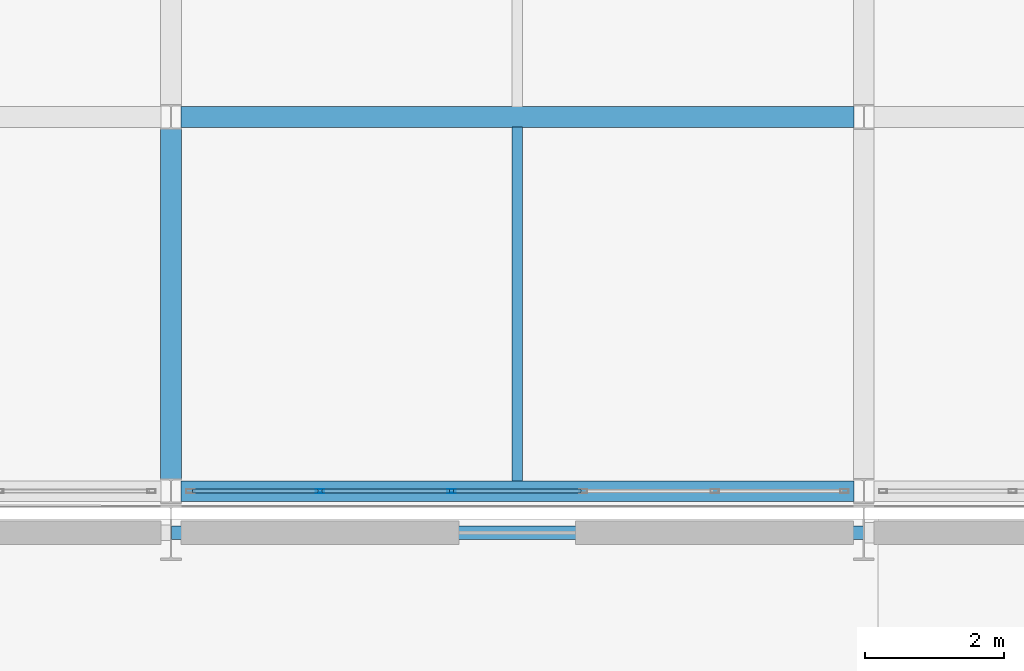
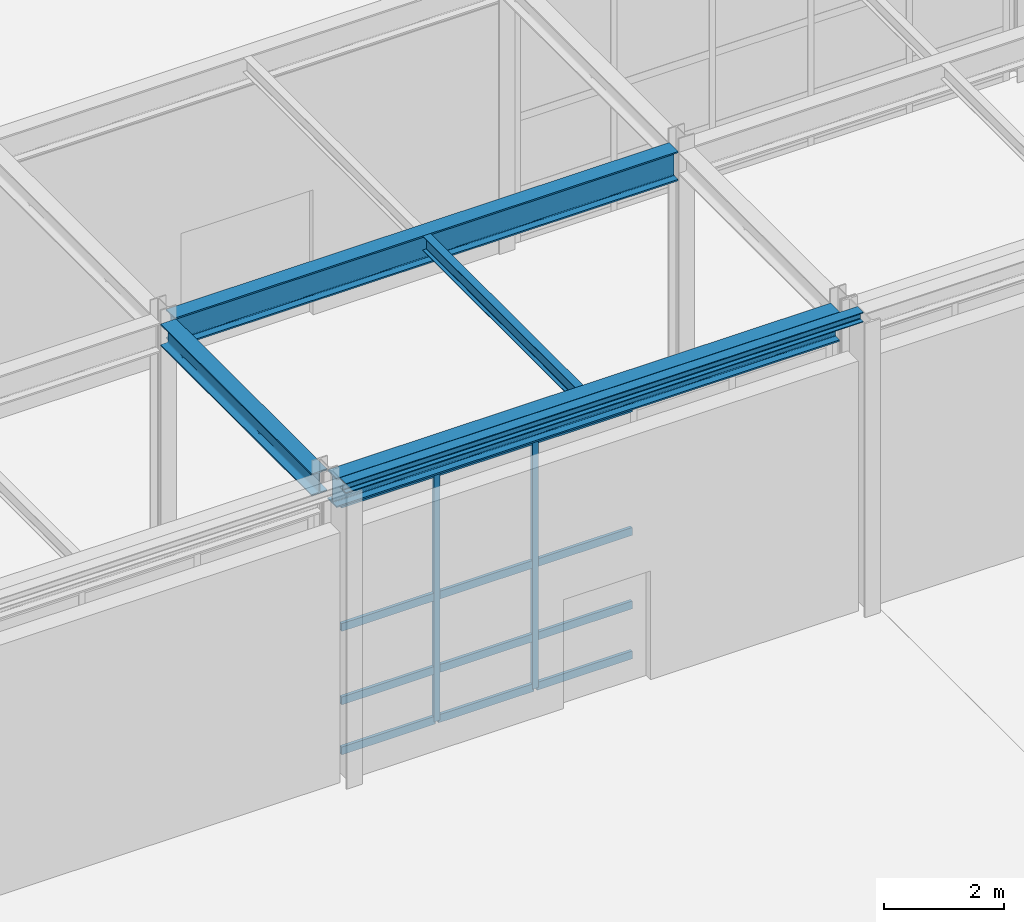
# One storey, part 92 of 146: 14 members, 5 beams, 1 element without a shape of its own.
"""IFC4 building model written with IfcOpenShell, lengths in metres."""

from ifc_helpers import new_model, si_unit, direction, frame, origin, origin_2d, place, context, subcontext, project, spatial, hollow_rectangle, i_section, extrude, material, material_profile, profile_set, type_object, element, aggregate, save


model = new_model("IFC4")

# Units and contexts
model_context = context("Model", 3, precision=1e-05, world=origin(), true_north=direction((0.0, 1.0)))
body_context = subcontext(model_context, "Body", "Model", "MODEL_VIEW")
ifc_project = project(units=[si_unit("LENGTHUNIT", "METRE"), si_unit("AREAUNIT", "SQUARE_METRE"), si_unit("VOLUMEUNIT", "CUBIC_METRE"), si_unit("PLANEANGLEUNIT", "RADIAN"), si_unit("MASSUNIT", "GRAM", prefix="KILO")], contexts=[model_context])

# Site, building, storey
site_placement = place(None, origin())
site = spatial("IfcSite", under=ifc_project, at=site_placement, CompositionType="ELEMENT")
building_placement = place(site_placement, origin())
building = spatial("IfcBuilding", under=site, at=building_placement, Name="Kaldris Quays Convention Centre", CompositionType="ELEMENT")
storey_placement = place(building_placement, origin())
storey = spatial("IfcBuildingStorey", under=building, at=storey_placement, Name="L00", CompositionType="ELEMENT", Elevation=0.0)

# Curtain wall, members
ifc_material_1 = material(Name="Anodized aluminium AW-6060 and triple glazing", Category="aluminium")
curtain_wall_type = type_object("IfcCurtainWallType", Name="UNITISED CURTAIN WALL CW06", PredefinedType="NOTDEFINED", material=ifc_material_1)
curtain_wall_placement = place(storey_placement, origin())
curtain_wall = element("IfcCurtainWall", 1, at=curtain_wall_placement, inside=storey, type_object=curtain_wall_type, Name="L00 Unitised Curtain Wall CW06 155", PredefinedType="NOTDEFINED")
ifc_material_2 = material(Name="Anodized aluminium AW-6060", Category="aluminium")
ifc_material_profile_1 = material_profile(ifc_material_2, hollow_rectangle(XDim=0.06005859375, YDim=0.1201171875, WallThickness=0.00390625, at=origin_2d()), Name="RHS 120x60x4")
ifc_profile_set_1 = profile_set([ifc_material_profile_1], Name="Anodized aluminium AW-6060")
member_type_1 = type_object("IfcMemberType", Name="CURTAIN MULLION CWM3", PredefinedType="MULLION", material=ifc_profile_set_1)
member_1_placement = place(storey_placement, frame((176.14990234375, 104.60009765625, 0.0), z_axis=(0.0, 0.0, 1.0), x_axis=(0.0, 1.0, 0.0)))
member_1 = element("IfcMember", 2, at=member_1_placement, type_object=member_type_1, Name="CW06 mullion 2", PredefinedType="MULLION", context=body_context, shape_type="SweptSolid", body=[
    extrude(hollow_rectangle(XDim=0.06005859375, YDim=0.1201171875, WallThickness=0.00390625, at=origin_2d()), origin(), (0.0, 0.0, 1.0), 5.097900390625),
])
member_2_placement = place(storey_placement, frame((178.050048828125, 104.60009765625, 0.0), z_axis=(0.0, 0.0, 1.0), x_axis=(0.0, 1.0, 0.0)))
member_2 = element("IfcMember", 3, at=member_2_placement, type_object=member_type_1, Name="CW06 mullion 3", PredefinedType="MULLION", context=body_context, shape_type="SweptSolid", body=[
    extrude(hollow_rectangle(XDim=0.06005859375, YDim=0.1201171875, WallThickness=0.00390625, at=origin_2d()), origin(), (0.0, 0.0, 1.0), 5.097900390625),
])
ifc_material_profile_2 = material_profile(ifc_material_2, hollow_rectangle(XDim=0.06005859375, YDim=0.159912109375, WallThickness=0.00390625, at=origin_2d()), Name="RHS 160x60x4")
ifc_profile_set_2 = profile_set([ifc_material_profile_2], Name="Anodized aluminium AW-6060")
member_type_2 = type_object("IfcMemberType", Name="CURTAIN TRANSOM CWT2", PredefinedType="USERDEFINED", material=ifc_profile_set_2)
member_3_placement = place(storey_placement, frame((174.31005859375, 104.60009765625, 0.030029296875), z_axis=(1.0, 0.0, 0.0), x_axis=(0.0, 1.0, 0.0)))
member_3 = element("IfcMember", 4, at=member_3_placement, type_object=member_type_2, Name="CW06 transom 1.1", ObjectType="TRANSOM", PredefinedType="USERDEFINED", context=body_context, shape_type="SweptSolid", body=[
    extrude(hollow_rectangle(XDim=0.06005859375, YDim=0.159912109375, WallThickness=0.00390625, at=origin_2d()), origin(), (0.0, 0.0, 1.0), 1.81005859375),
])
member_4_placement = place(storey_placement, frame((174.31005859375, 104.60009765625, 1.050048828125), z_axis=(1.0, 0.0, 0.0), x_axis=(0.0, 1.0, 0.0)))
member_4 = element("IfcMember", 5, at=member_4_placement, type_object=member_type_2, Name="CW06 transom 1.2", ObjectType="TRANSOM", PredefinedType="USERDEFINED", context=body_context, shape_type="SweptSolid", body=[
    extrude(hollow_rectangle(XDim=0.06005859375, YDim=0.159912109375, WallThickness=0.00390625, at=origin_2d()), origin(), (0.0, 0.0, 1.0), 1.81005859375),
])
member_5_placement = place(storey_placement, frame((174.31005859375, 104.60009765625, 2.549072265625), z_axis=(1.0, 0.0, 0.0), x_axis=(0.0, 1.0, 0.0)))
member_5 = element("IfcMember", 6, at=member_5_placement, type_object=member_type_2, Name="CW06 transom 1.3", ObjectType="TRANSOM", PredefinedType="USERDEFINED", context=body_context, shape_type="SweptSolid", body=[
    extrude(hollow_rectangle(XDim=0.06005859375, YDim=0.159912109375, WallThickness=0.00390625, at=origin_2d()), origin(), (0.0, 0.0, 1.0), 1.81005859375),
])
member_6_placement = place(storey_placement, frame((174.31005859375, 104.60009765625, 5.068115234375), z_axis=(1.0, 0.0, 0.0), x_axis=(0.0, 1.0, 0.0)))
member_6 = element("IfcMember", 7, at=member_6_placement, type_object=member_type_2, Name="CW06 transom 1.4", ObjectType="TRANSOM", PredefinedType="USERDEFINED", context=body_context, shape_type="SweptSolid", body=[
    extrude(hollow_rectangle(XDim=0.06005859375, YDim=0.159912109375, WallThickness=0.00390625, at=origin_2d()), origin(), (0.0, 0.0, 1.0), 1.81005859375),
])
member_7_placement = place(storey_placement, frame((176.179931640625, 104.60009765625, 0.030029296875), z_axis=(1.0, 0.0, 0.0), x_axis=(0.0, 1.0, 0.0)))
member_7 = element("IfcMember", 8, at=member_7_placement, type_object=member_type_2, Name="CW06 transom 2.1", ObjectType="TRANSOM", PredefinedType="USERDEFINED", context=body_context, shape_type="SweptSolid", body=[
    extrude(hollow_rectangle(XDim=0.06005859375, YDim=0.159912109375, WallThickness=0.00390625, at=origin_2d()), origin(), (0.0, 0.0, 1.0), 1.840087890625),
])
member_8_placement = place(storey_placement, frame((176.179931640625, 104.60009765625, 1.050048828125), z_axis=(1.0, 0.0, 0.0), x_axis=(0.0, 1.0, 0.0)))
member_8 = element("IfcMember", 9, at=member_8_placement, type_object=member_type_2, Name="CW06 transom 2.2", ObjectType="TRANSOM", PredefinedType="USERDEFINED", context=body_context, shape_type="SweptSolid", body=[
    extrude(hollow_rectangle(XDim=0.06005859375, YDim=0.159912109375, WallThickness=0.00390625, at=origin_2d()), origin(), (0.0, 0.0, 1.0), 1.840087890625),
])
member_9_placement = place(storey_placement, frame((176.179931640625, 104.60009765625, 2.549072265625), z_axis=(1.0, 0.0, 0.0), x_axis=(0.0, 1.0, 0.0)))
member_9 = element("IfcMember", 10, at=member_9_placement, type_object=member_type_2, Name="CW06 transom 2.3", ObjectType="TRANSOM", PredefinedType="USERDEFINED", context=body_context, shape_type="SweptSolid", body=[
    extrude(hollow_rectangle(XDim=0.06005859375, YDim=0.159912109375, WallThickness=0.00390625, at=origin_2d()), origin(), (0.0, 0.0, 1.0), 1.840087890625),
])
member_10_placement = place(storey_placement, frame((176.179931640625, 104.60009765625, 5.068115234375), z_axis=(1.0, 0.0, 0.0), x_axis=(0.0, 1.0, 0.0)))
member_10 = element("IfcMember", 11, at=member_10_placement, type_object=member_type_2, Name="CW06 transom 2.4", ObjectType="TRANSOM", PredefinedType="USERDEFINED", context=body_context, shape_type="SweptSolid", body=[
    extrude(hollow_rectangle(XDim=0.06005859375, YDim=0.159912109375, WallThickness=0.00390625, at=origin_2d()), origin(), (0.0, 0.0, 1.0), 1.840087890625),
])
member_11_placement = place(storey_placement, frame((178.080078125, 104.60009765625, 0.030029296875), z_axis=(1.0, 0.0, 0.0), x_axis=(0.0, 1.0, 0.0)))
member_11 = element("IfcMember", 12, at=member_11_placement, type_object=member_type_2, Name="CW06 transom 3.1", ObjectType="TRANSOM", PredefinedType="USERDEFINED", context=body_context, shape_type="SweptSolid", body=[
    extrude(hollow_rectangle(XDim=0.06005859375, YDim=0.159912109375, WallThickness=0.00390625, at=origin_2d()), origin(), (0.0, 0.0, 1.0), 1.83984375),
])
member_12_placement = place(storey_placement, frame((178.080078125, 104.60009765625, 1.050048828125), z_axis=(1.0, 0.0, 0.0), x_axis=(0.0, 1.0, 0.0)))
member_12 = element("IfcMember", 13, at=member_12_placement, type_object=member_type_2, Name="CW06 transom 3.2", ObjectType="TRANSOM", PredefinedType="USERDEFINED", context=body_context, shape_type="SweptSolid", body=[
    extrude(hollow_rectangle(XDim=0.06005859375, YDim=0.159912109375, WallThickness=0.00390625, at=origin_2d()), origin(), (0.0, 0.0, 1.0), 1.83984375),
])
member_13_placement = place(storey_placement, frame((178.080078125, 104.60009765625, 2.549072265625), z_axis=(1.0, 0.0, 0.0), x_axis=(0.0, 1.0, 0.0)))
member_13 = element("IfcMember", 14, at=member_13_placement, type_object=member_type_2, Name="CW06 transom 3.3", ObjectType="TRANSOM", PredefinedType="USERDEFINED", context=body_context, shape_type="SweptSolid", body=[
    extrude(hollow_rectangle(XDim=0.06005859375, YDim=0.159912109375, WallThickness=0.00390625, at=origin_2d()), origin(), (0.0, 0.0, 1.0), 1.83984375),
])
member_14_placement = place(storey_placement, frame((178.080078125, 104.60009765625, 5.068115234375), z_axis=(1.0, 0.0, 0.0), x_axis=(0.0, 1.0, 0.0)))
member_14 = element("IfcMember", 15, at=member_14_placement, type_object=member_type_2, Name="CW06 transom 3.4", ObjectType="TRANSOM", PredefinedType="USERDEFINED", context=body_context, shape_type="SweptSolid", body=[
    extrude(hollow_rectangle(XDim=0.06005859375, YDim=0.159912109375, WallThickness=0.00390625, at=origin_2d()), origin(), (0.0, 0.0, 1.0), 1.83984375),
])
aggregate(curtain_wall, [member_1, member_2, member_3, member_4, member_5, member_6, member_7, member_8, member_9, member_10, member_11, member_12, member_13, member_14])

# Beams
ifc_material_3 = material(Name="Steel S355J2", Category="steel")
ifc_material_profile_3 = material_profile(ifc_material_3, i_section(OverallWidth=0.300048828125, OverallDepth=0.60009765625, WebThickness=0.015380859375, FlangeThickness=0.030029296875, FilletRadius=0.027099609375, at=origin_2d()), Name="HEB 600")
ifc_profile_set_3 = profile_set([ifc_material_profile_3], Name="Steel S355J2")
beam_type_1 = type_object("IfcBeamType", Name="STRUCTURAL BEAM BM05", PredefinedType="BEAM", material=ifc_profile_set_3)
for number, where, z_axis, x_axis, name in (
    (16, (174.14404296875, 104.60009765625, 5.423095703125), (1.0, 0.0, 0.0), (0.0, 1.0, 0.0), "L00 Girder BM05 44"),
    (17, (174.14404296875, 110.0, 5.423095703125), (1.0, 0.0, 0.0), (0.0, 1.0, 0.0), "L00 Girder BM05 49"),
):
    element("IfcBeam", number, at=place(storey_placement, frame(where, z_axis=z_axis, x_axis=x_axis)), inside=storey, type_object=beam_type_1, Name=name, PredefinedType="BEAM", context=body_context, shape_type="SweptSolid", body=[
        extrude(i_section(OverallWidth=0.300048828125, OverallDepth=0.60009765625, WebThickness=0.015380859375, FlangeThickness=0.030029296875, FilletRadius=0.027099609375, at=origin_2d()), origin(), (0.0, 0.0, 1.0), 9.7119140625),
    ])
ifc_material_profile_4 = material_profile(ifc_material_3, i_section(OverallWidth=0.300048828125, OverallDepth=0.449951171875, WebThickness=0.013916015625, FlangeThickness=0.02587890625, FilletRadius=0.027099609375, at=origin_2d()), Name="HEB 450")
ifc_profile_set_4 = profile_set([ifc_material_profile_4], Name="Steel S355J2")
beam_type_2 = type_object("IfcBeamType", Name="STRUCTURAL BEAM BM07", PredefinedType="BEAM", material=ifc_profile_set_4)
beam_1_placement = place(storey_placement, frame((174.0, 104.77392578125, 5.498046875), z_axis=(0.0, 1.0, 0.0), x_axis=(-1.0, 0.0, 0.0)))
element("IfcBeam", 18, at=beam_1_placement, inside=storey, type_object=beam_type_2, Name="L00 Girder BM07 104", PredefinedType="BEAM", context=body_context, shape_type="SweptSolid", body=[
    extrude(i_section(OverallWidth=0.300048828125, OverallDepth=0.449951171875, WebThickness=0.013916015625, FlangeThickness=0.02587890625, FilletRadius=0.027099609375, at=origin_2d()), origin(), (0.0, 0.0, 1.0), 5.052001953125),
])
ifc_material_profile_5 = material_profile(ifc_material_3, i_section(OverallWidth=0.14990234375, OverallDepth=0.300048828125, WebThickness=0.007080078125, FlangeThickness=0.0107421875, FilletRadius=0.014892578125, at=origin_2d()), Name="IPE 300")
ifc_profile_set_5 = profile_set([ifc_material_profile_5], Name="Steel S355J2")
beam_type_3 = type_object("IfcBeamType", Name="STRUCTURAL BEAM JT04", PredefinedType="JOIST", material=ifc_profile_set_5)
beam_2_placement = place(storey_placement, frame((179.0, 104.743896484375, 5.572998046875), z_axis=(0.0, 1.0, 0.0), x_axis=(-1.0, 0.0, 0.0)))
element("IfcBeam", 19, at=beam_2_placement, inside=storey, type_object=beam_type_3, Name="L00 Secondary Joist JT04 29", PredefinedType="JOIST", context=body_context, shape_type="SweptSolid", body=[
    extrude(i_section(OverallWidth=0.14990234375, OverallDepth=0.300048828125, WebThickness=0.007080078125, FlangeThickness=0.0107421875, FilletRadius=0.014892578125, at=origin_2d()), origin(), (0.0, 0.0, 1.0), 5.112060546875),
])
ifc_material_profile_6 = material_profile(ifc_material_3, i_section(OverallWidth=0.199951171875, OverallDepth=0.199951171875, WebThickness=0.009033203125, FlangeThickness=0.014892578125, FilletRadius=0.01806640625, at=origin_2d()), Name="HEB 200")
ifc_profile_set_6 = profile_set([ifc_material_profile_6], Name="Steel S355J2")
beam_type_4 = type_object("IfcBeamType", Name="STRUCTURAL BEAM SP06", PredefinedType="SPANDREL", material=ifc_profile_set_6)
beam_3_placement = place(storey_placement, frame((174.006103515625, 104.0, 5.89990234375), z_axis=(1.0, 0.0, 0.0), x_axis=(0.0, 1.0, 0.0)))
element("IfcBeam", 20, at=beam_3_placement, inside=storey, type_object=beam_type_4, Name="L00 Perimeter Wall-Bearing Spandrel SP06 24", PredefinedType="SPANDREL", context=body_context, shape_type="SweptSolid", body=[
    extrude(i_section(OverallWidth=0.199951171875, OverallDepth=0.199951171875, WebThickness=0.009033203125, FlangeThickness=0.014892578125, FilletRadius=0.01806640625, at=origin_2d()), origin(), (0.0, 0.0, 1.0), 9.98779296875),
])

save(model, "model.ifc")
